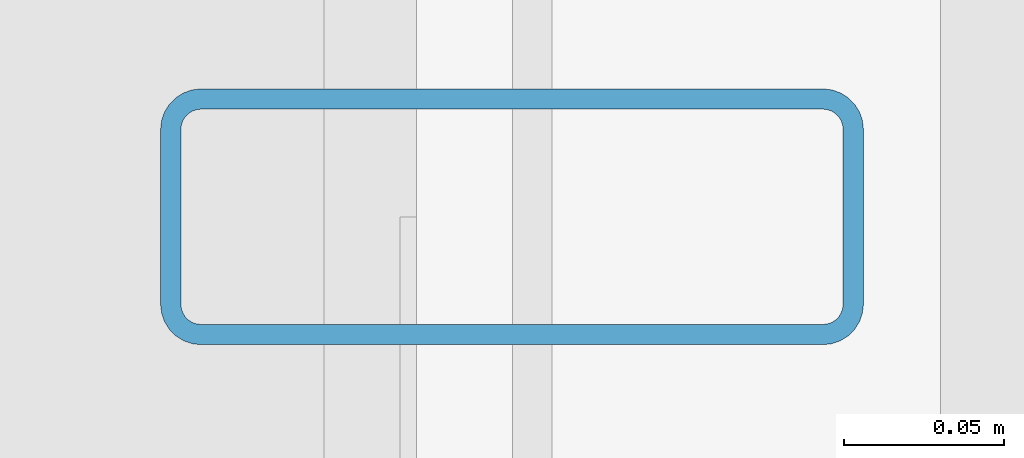
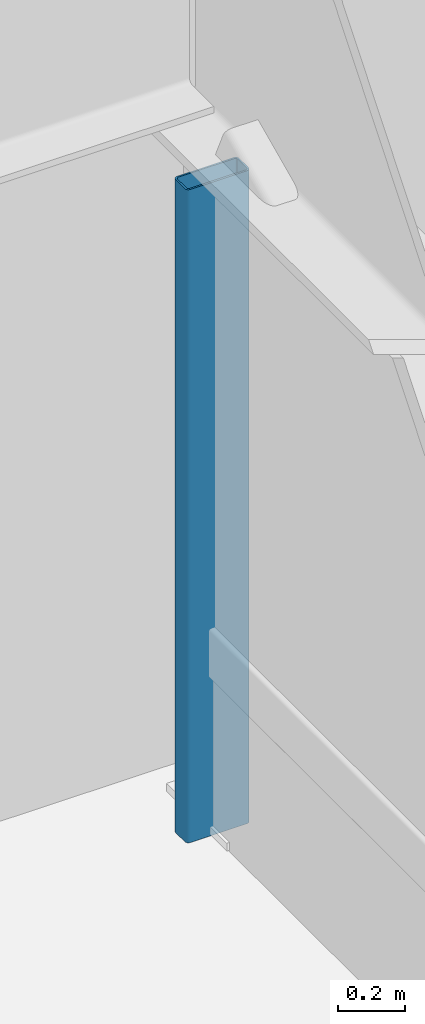
# One storey, part 12 of 35: 1 member, 1 element without a shape of its own.
"""IFC4 building model written with IfcOpenShell, lengths in metres."""

from ifc_helpers import new_model, si_unit, direction, frame, origin, origin_2d, place, context, subcontext, project, spatial, hollow_rectangle, extrude, material, layer, layer_set, material_profile, profile_set, type_object, element, aggregate, save


model = new_model("IFC4")

# Units and contexts
model_context = context("Model", 3, precision=1e-05, world=origin(), true_north=direction((0.0, 1.0)))
body_context = subcontext(model_context, "Body", "Model", "MODEL_VIEW")
ifc_project = project(units=[si_unit("LENGTHUNIT", "METRE"), si_unit("AREAUNIT", "SQUARE_METRE"), si_unit("VOLUMEUNIT", "CUBIC_METRE"), si_unit("PLANEANGLEUNIT", "RADIAN"), si_unit("MASSUNIT", "GRAM", prefix="KILO")], contexts=[model_context])

# Site, building, storey
site_placement = place(None, origin())
site = spatial("IfcSite", under=ifc_project, at=site_placement, CompositionType="ELEMENT")
building_placement = place(site_placement, origin())
building = spatial("IfcBuilding", under=site, at=building_placement, Name="Korimba Cascade Residences", CompositionType="ELEMENT")
storey_placement = place(building_placement, frame((0.0, 0.0, 150.10009765625)))
storey = spatial("IfcBuildingStorey", under=building, at=storey_placement, Name="L43", CompositionType="ELEMENT", Elevation=150.10009765625)

# Curtain wall, member
ifc_material_1 = material(Name="Anodised Aluminium Curtain Wall Framing", Category="aluminium")
ifc_layer = layer(ifc_material_1, 0.179931640625)
ifc_layer_set = layer_set([ifc_layer], Name="Anodised Aluminium Curtain Wall Framing")
curtain_wall_type = type_object("IfcCurtainWallType", Name="CW-OBS-SYS4", PredefinedType="NOTDEFINED", material=ifc_layer_set)
curtain_wall_placement = place(storey_placement, origin())
curtain_wall = element("IfcCurtainWall", 1, at=curtain_wall_placement, inside=storey, type_object=curtain_wall_type, Name="L43 Curtain Wall CW-L43-BRG-E2", PredefinedType="NOTDEFINED")
ifc_material_2 = material(Name="Anodised Aluminium Mullion", Category="aluminium")
ifc_material_profile = material_profile(ifc_material_2, hollow_rectangle(XDim=0.080078125, YDim=0.219970703125, WallThickness=0.00634765625, InnerFilletRadius=0.00634765625, OuterFilletRadius=0.0126953125, at=origin_2d()), Name="Anodised Aluminium Mullion")
ifc_profile_set = profile_set([ifc_material_profile], Name="Anodised Aluminium Mullion")
member_type = type_object("IfcMemberType", Name="CWM-MUL-220", PredefinedType="MULLION", material=ifc_profile_set)
member_placement = place(storey_placement, frame((111.949951171875, 50.4599609375, 0.0), z_axis=(0.0, 0.0, 1.0), x_axis=(0.0, 1.0, 0.0)))
member = element("IfcMember", 2, at=member_placement, type_object=member_type, Name="CW-L43-BRG-E2 Mullion 2", PredefinedType="MULLION", context=body_context, shape_type="SweptSolid", body=[
    extrude(hollow_rectangle(XDim=0.080078125, YDim=0.219970703125, WallThickness=0.00634765625, InnerFilletRadius=0.00634765625, OuterFilletRadius=0.0126953125, at=origin_2d()), origin(), (0.0, 0.0, 1.0), 2.3798828125),
])
aggregate(curtain_wall, [member])

save(model, "model.ifc")
